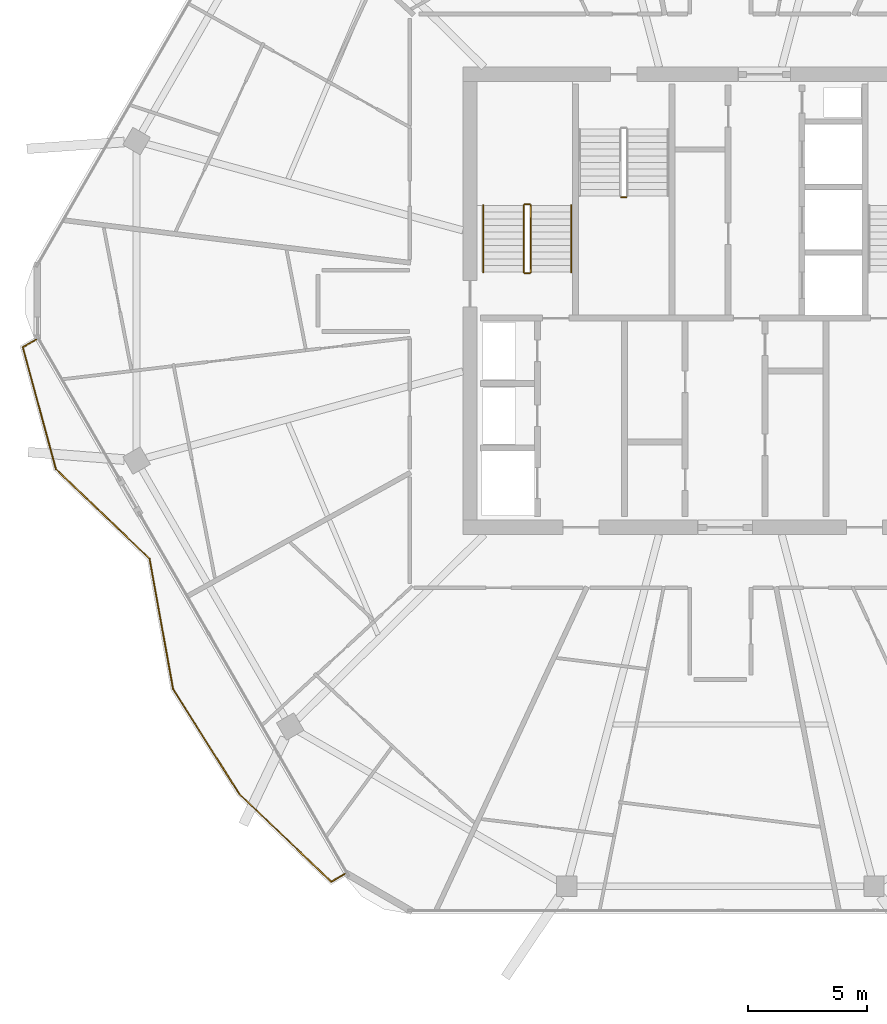
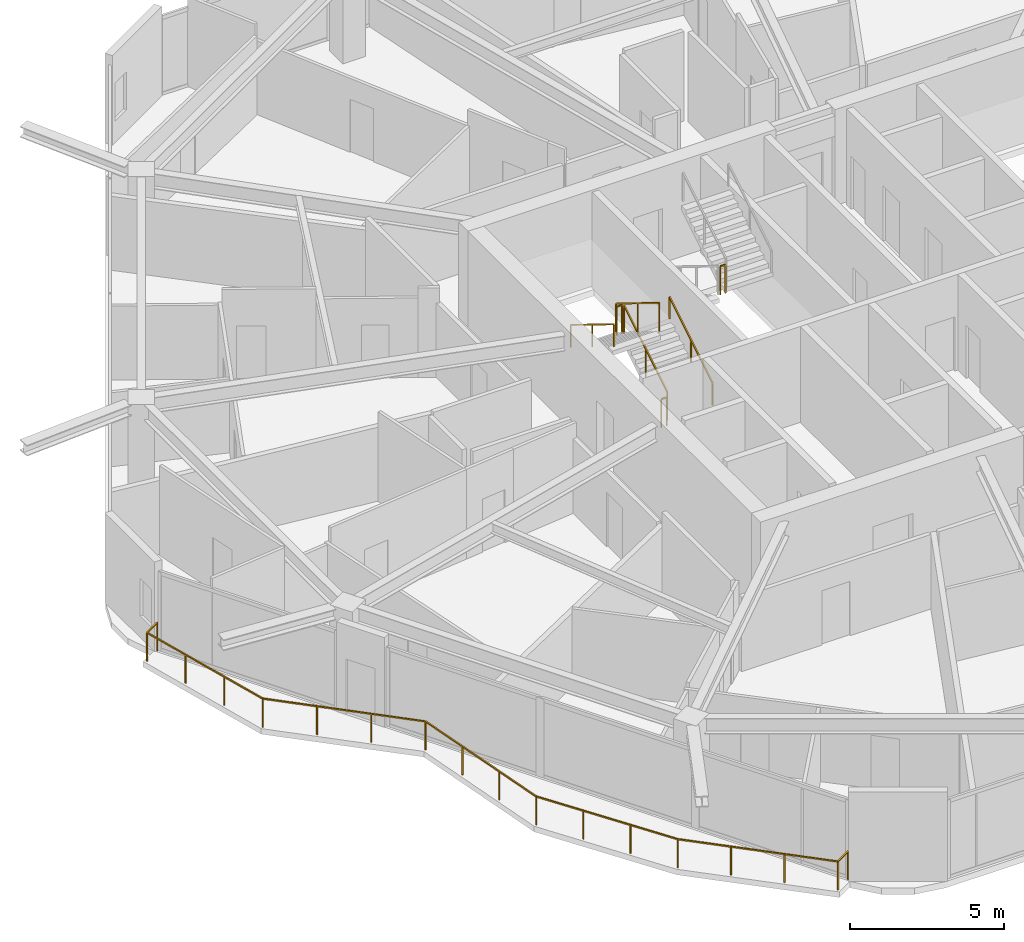
# One storey, part 24 of 26: 8 railings.
"""IFC4 building model written with IfcOpenShell, lengths in metres."""

from ifc_helpers import new_model, si_unit, direction, frame, origin, origin_2d, place, context, subcontext, project, spatial, rectangle, extrude, material, type_object, element, save


model = new_model("IFC4")

# Units and contexts
model_context = context("Model", 3, precision=1e-05, world=origin(), true_north=direction((0.0, 1.0)))
body_context = subcontext(model_context, "Body", "Model", "MODEL_VIEW")
ifc_project = project(units=[si_unit("LENGTHUNIT", "METRE"), si_unit("AREAUNIT", "SQUARE_METRE"), si_unit("VOLUMEUNIT", "CUBIC_METRE"), si_unit("PLANEANGLEUNIT", "RADIAN"), si_unit("MASSUNIT", "GRAM", prefix="KILO")], contexts=[model_context])

# Site, building, storey
site_placement = place(None, origin())
site = spatial("IfcSite", under=ifc_project, at=site_placement, CompositionType="ELEMENT")
building_placement = place(site_placement, origin())
building = spatial("IfcBuilding", under=site, at=building_placement, Name="Zuhravey Tower", CompositionType="ELEMENT")
storey_placement = place(building_placement, frame((0.0, 0.0, 273.0)))
storey = spatial("IfcBuildingStorey", under=building, at=storey_placement, Name="L69", CompositionType="ELEMENT", Elevation=273.0)

# Railings
ifc_material_1 = material(Name="Stainless steel 316 and laminated glass", Category="steel")
railing_type_1 = type_object("IfcRailingType", Name="Balcony & Terrace Guardrail 1150", PredefinedType="BALUSTRADE", material=ifc_material_1)
railing_1_placement = place(storey_placement, frame((20.25830078125, 7.968017578125, 0.0)))
element("IfcRailing", 1, at=railing_1_placement, inside=storey, type_object=railing_type_1, Name="L69 Face 4 Wave Balcony Guardrail GR1", PredefinedType="BALUSTRADE", context=body_context, shape_type="SweptSolid", body=[
    extrude(rectangle(XDim=0.048095703125, YDim=0.048095703125, at=origin_2d()), frame((-0.001708984375, -0.0009765625, 1.1259765625), z_axis=(-0.865928695901, -0.500167465571, 0.0), x_axis=(0.500167465571, -0.865928695901, 0.0)), (0.0, 0.0, 1.0), 0.660888671875),
    extrude(rectangle(XDim=0.048095703125, YDim=0.048095703125, at=origin_2d()), frame((-0.5771484375, -0.3310546875, 1.1259765625), z_axis=(-0.723303727928, 0.690530026259, 0.0), x_axis=(-0.690530026259, -0.723303727928, 0.0)), (0.0, 0.0, 1.0), 5.344482421875),
    extrude(rectangle(XDim=0.048095703125, YDim=0.048095703125, at=origin_2d()), frame((-4.4453125, 3.362548828125, 1.1259765625), z_axis=(-0.533458279448, 0.8458263794, 0.0), x_axis=(-0.8458263794, -0.533458279448, 0.0)), (0.0, 0.0, 1.0), 5.184814453125),
    extrude(rectangle(XDim=0.048095703125, YDim=0.048095703125, at=origin_2d()), frame((-7.212646484375, 7.751708984375, 1.1259765625), z_axis=(-0.177601563202, 0.984102476751, 0.0), x_axis=(-0.984102476751, -0.177601563202, 0.0)), (0.0, 0.0, 1.0), 5.55224609375),
    extrude(rectangle(XDim=0.048095703125, YDim=0.048095703125, at=origin_2d()), frame((-8.20068359375, 13.21923828125, 1.1259765625), z_axis=(-0.722359060555, 0.691518175924, 0.0), x_axis=(-0.691518175924, -0.722359060555, 0.0)), (0.0, 0.0, 1.0), 5.434326171875),
    extrude(rectangle(XDim=0.048095703125, YDim=0.048095703125, at=origin_2d()), frame((-12.128173828125, 16.98046875, 1.1259765625), z_axis=(-0.262332504219, 0.964977542345, 0.0), x_axis=(-0.964977542345, -0.262332504219, 0.0)), (0.0, 0.0, 1.0), 5.286865234375),
    extrude(rectangle(XDim=0.048095703125, YDim=0.048095703125, at=origin_2d()), frame((-13.513916015625, 22.0849609375, 1.1259765625), z_axis=(0.866173323713, 0.499743707602, 0.0), x_axis=(-0.499743707602, 0.866173323713, 0.0)), (0.0, 0.0, 1.0), 0.658935546875),
    extrude(rectangle(XDim=0.0419921875, YDim=0.0419921875, at=origin_2d()), origin(), (0.0, 0.0, 1.0), 1.099853515625),
    extrude(rectangle(XDim=0.0419921875, YDim=0.0419921875, at=origin_2d()), frame((-0.57568359375, -0.33251953125, 0.0)), (0.0, 0.0, 1.0), 1.099853515625),
    extrude(rectangle(XDim=0.0419921875, YDim=0.0419921875, at=origin_2d()), frame((-1.865234375, 0.898681640625, 0.0)), (0.0, 0.0, 1.0), 1.099853515625),
    extrude(rectangle(XDim=0.0419921875, YDim=0.0419921875, at=origin_2d()), frame((-3.15478515625, 2.129638671875, 0.0)), (0.0, 0.0, 1.0), 1.099853515625),
    extrude(rectangle(XDim=0.0419921875, YDim=0.0419921875, at=origin_2d()), frame((-4.4443359375, 3.36083984375, 0.0)), (0.0, 0.0, 1.0), 1.099853515625),
    extrude(rectangle(XDim=0.0419921875, YDim=0.0419921875, at=origin_2d()), frame((-5.366943359375, 4.82373046875, 0.0)), (0.0, 0.0, 1.0), 1.099853515625),
    extrude(rectangle(XDim=0.0419921875, YDim=0.0419921875, at=origin_2d()), frame((-6.289794921875, 6.286865234375, 0.0)), (0.0, 0.0, 1.0), 1.099853515625),
    extrude(rectangle(XDim=0.0419921875, YDim=0.0419921875, at=origin_2d()), frame((-7.21240234375, 7.749755859375, 0.0)), (0.0, 0.0, 1.0), 1.099853515625),
    extrude(rectangle(XDim=0.0419921875, YDim=0.0419921875, at=origin_2d()), frame((-7.541259765625, 9.572509765625, 0.0)), (0.0, 0.0, 1.0), 1.099853515625),
    extrude(rectangle(XDim=0.0419921875, YDim=0.0419921875, at=origin_2d()), frame((-7.870361328125, 11.39501953125, 0.0)), (0.0, 0.0, 1.0), 1.099853515625),
    extrude(rectangle(XDim=0.0419921875, YDim=0.0419921875, at=origin_2d()), frame((-8.19921875, 13.2177734375, 0.0)), (0.0, 0.0, 1.0), 1.099853515625),
    extrude(rectangle(XDim=0.0419921875, YDim=0.0419921875, at=origin_2d()), frame((-9.5087890625, 14.471435546875, 0.0)), (0.0, 0.0, 1.0), 1.099853515625),
    extrude(rectangle(XDim=0.0419921875, YDim=0.0419921875, at=origin_2d()), frame((-10.818115234375, 15.724853515625, 0.0)), (0.0, 0.0, 1.0), 1.099853515625),
    extrude(rectangle(XDim=0.0419921875, YDim=0.0419921875, at=origin_2d()), frame((-12.127685546875, 16.978515625, 0.0)), (0.0, 0.0, 1.0), 1.099853515625),
    extrude(rectangle(XDim=0.0419921875, YDim=0.0419921875, at=origin_2d()), frame((-12.59033203125, 18.680419921875, 0.0)), (0.0, 0.0, 1.0), 1.099853515625),
    extrude(rectangle(XDim=0.0419921875, YDim=0.0419921875, at=origin_2d()), frame((-13.052978515625, 20.382080078125, 0.0)), (0.0, 0.0, 1.0), 1.099853515625),
    extrude(rectangle(XDim=0.0419921875, YDim=0.0419921875, at=origin_2d()), frame((-13.515625, 22.083984375, 0.0)), (0.0, 0.0, 1.0), 1.099853515625),
    extrude(rectangle(XDim=0.0419921875, YDim=0.0419921875, at=origin_2d()), frame((-12.94140625, 22.415283203125, 0.0)), (0.0, 0.0, 1.0), 1.099853515625),
])
ifc_material_2 = material(Name="Brushed stainless steel", Category="steel")
railing_type_2 = type_object("IfcRailingType", Name="Stair Wall Handrail 900", PredefinedType="HANDRAIL", material=ifc_material_2)
railing_2_placement = place(storey_placement, frame((29.75, 33.199951171875, 0.172607421875)))
element("IfcRailing", 2, at=railing_2_placement, inside=storey, type_object=railing_type_2, Name="L69 ST1 stair handrail 1", PredefinedType="HANDRAIL", context=body_context, shape_type="SweptSolid", body=[
    extrude(rectangle(XDim=0.048095703125, YDim=0.048095703125, at=origin_2d()), frame((0.0, 0.001708984375, 0.876953125), z_axis=(0.0, 0.851089632645, 0.525020415988), x_axis=(-1.0, 0.0, 0.0)), (0.0, 0.0, 1.0), 3.285888671875),
    extrude(rectangle(XDim=0.0419921875, YDim=0.0419921875, at=origin_2d()), origin(), (0.0, 0.0, 1.0), 0.849853515625),
    extrude(rectangle(XDim=0.0419921875, YDim=0.0419921875, at=origin_2d()), frame((0.0, 1.39990234375, 0.86376953125)), (0.0, 0.0, 1.0), 0.849853515625),
    extrude(rectangle(XDim=0.0419921875, YDim=0.0419921875, at=origin_2d()), frame((0.0, 2.800048828125, 1.727294921875)), (0.0, 0.0, 1.0), 0.849853515625),
])
railing_3_placement = place(storey_placement, frame((26.050048828125, 36.0, 2.07275390625)))
element("IfcRailing", 3, at=railing_3_placement, inside=storey, type_object=railing_type_2, Name="L69 ST1 stair handrail 2", PredefinedType="HANDRAIL", context=body_context, shape_type="SweptSolid", body=[
    extrude(rectangle(XDim=0.048095703125, YDim=0.048095703125, at=origin_2d()), frame((0.0, -0.001708984375, 0.876953125), z_axis=(0.0, -0.851089632645, 0.525020415988), x_axis=(1.0, 0.0, 0.0)), (0.0, 0.0, 1.0), 3.285888671875),
    extrude(rectangle(XDim=0.0419921875, YDim=0.0419921875, at=origin_2d()), origin(), (0.0, 0.0, 1.0), 0.849853515625),
    extrude(rectangle(XDim=0.0419921875, YDim=0.0419921875, at=origin_2d()), frame((0.0, -1.39990234375, 0.86376953125)), (0.0, 0.0, 1.0), 0.849853515625),
    extrude(rectangle(XDim=0.0419921875, YDim=0.0419921875, at=origin_2d()), frame((0.0, -2.800048828125, 1.727294921875)), (0.0, 0.0, 1.0), 0.849853515625),
])
ifc_material_3 = material(Name="Painted tubular steel", Category="steel")
railing_type_3 = type_object("IfcRailingType", Name="Stair Well Guardrail 1150", PredefinedType="GUARDRAIL", material=ifc_material_3)
railing_4_placement = place(storey_placement, frame((28.050048828125, 33.199951171875, 0.172607421875)))
element("IfcRailing", 4, at=railing_4_placement, inside=storey, type_object=railing_type_3, Name="L69 ST1 stair guard 1", PredefinedType="GUARDRAIL", context=body_context, shape_type="SweptSolid", body=[
    extrude(rectangle(XDim=0.048095703125, YDim=0.048095703125, at=origin_2d()), frame((0.0, 0.001708984375, 1.126953125), z_axis=(0.0, 0.851089632645, 0.525020415988), x_axis=(-1.0, 0.0, 0.0)), (0.0, 0.0, 1.0), 3.285888671875),
    extrude(rectangle(XDim=0.0419921875, YDim=0.0419921875, at=origin_2d()), origin(), (0.0, 0.0, 1.0), 1.099853515625),
    extrude(rectangle(XDim=0.0419921875, YDim=0.0419921875, at=origin_2d()), frame((0.0, 1.39990234375, 0.86376953125)), (0.0, 0.0, 1.0), 1.099853515625),
    extrude(rectangle(XDim=0.0419921875, YDim=0.0419921875, at=origin_2d()), frame((0.0, 2.800048828125, 1.727294921875)), (0.0, 0.0, 1.0), 1.099853515625),
])
railing_5_placement = place(storey_placement, frame((28.0, 36.050048828125, 1.89990234375)))
element("IfcRailing", 5, at=railing_5_placement, inside=storey, type_object=railing_type_3, Name="L69 ST1 stair guard 2", PredefinedType="GUARDRAIL", context=body_context, shape_type="SweptSolid", body=[
    extrude(rectangle(XDim=0.048095703125, YDim=0.048095703125, at=origin_2d()), frame((-0.001953125, 0.0, 1.1259765625), z_axis=(-1.0, 0.0, 0.0), x_axis=(0.0, -1.0, 0.0)), (0.0, 0.0, 1.0), 0.196044921875),
    extrude(rectangle(XDim=0.0419921875, YDim=0.0419921875, at=origin_2d()), origin(), (0.0, 0.0, 1.0), 1.099853515625),
    extrude(rectangle(XDim=0.0419921875, YDim=0.0419921875, at=origin_2d()), frame((-0.199951171875, 0.0, 0.0)), (0.0, 0.0, 1.0), 1.099853515625),
])
railing_6_placement = place(storey_placement, frame((27.75, 36.0, 2.07275390625)))
element("IfcRailing", 6, at=railing_6_placement, inside=storey, type_object=railing_type_3, Name="L69 ST1 stair guard 3", PredefinedType="GUARDRAIL", context=body_context, shape_type="SweptSolid", body=[
    extrude(rectangle(XDim=0.048095703125, YDim=0.048095703125, at=origin_2d()), frame((0.0, -0.001708984375, 1.126953125), z_axis=(0.0, -0.851089632645, 0.525020415988), x_axis=(1.0, 0.0, 0.0)), (0.0, 0.0, 1.0), 3.285888671875),
    extrude(rectangle(XDim=0.0419921875, YDim=0.0419921875, at=origin_2d()), origin(), (0.0, 0.0, 1.0), 1.099853515625),
    extrude(rectangle(XDim=0.0419921875, YDim=0.0419921875, at=origin_2d()), frame((0.0, -1.39990234375, 0.86376953125)), (0.0, 0.0, 1.0), 1.099853515625),
    extrude(rectangle(XDim=0.0419921875, YDim=0.0419921875, at=origin_2d()), frame((0.0, -2.800048828125, 1.727294921875)), (0.0, 0.0, 1.0), 1.099853515625),
])
railing_7_placement = place(storey_placement, frame((28.0, 33.14990234375, 0.0)))
element("IfcRailing", 7, at=railing_7_placement, inside=storey, type_object=railing_type_3, Name="L69 ST1 stair guard 4", PredefinedType="GUARDRAIL", context=body_context, shape_type="SweptSolid", body=[
    extrude(rectangle(XDim=0.048095703125, YDim=0.048095703125, at=origin_2d()), frame((-0.001953125, 0.0, 1.1259765625), z_axis=(-1.0, 0.0, 0.0), x_axis=(0.0, -1.0, 0.0)), (0.0, 0.0, 1.0), 0.196044921875),
    extrude(rectangle(XDim=0.0419921875, YDim=0.0419921875, at=origin_2d()), origin(), (0.0, 0.0, 1.0), 1.099853515625),
    extrude(rectangle(XDim=0.0419921875, YDim=0.0419921875, at=origin_2d()), frame((-0.199951171875, 0.0, 0.0)), (0.0, 0.0, 1.0), 1.099853515625),
])
railing_8_placement = place(storey_placement, frame((31.85009765625, 36.35009765625, 1.89990234375)))
element("IfcRailing", 8, at=railing_8_placement, inside=storey, type_object=railing_type_3, Name="L69 ST3 stair guard 2", PredefinedType="GUARDRAIL", context=body_context, shape_type="SweptSolid", body=[
    extrude(rectangle(XDim=0.048095703125, YDim=0.048095703125, at=origin_2d()), frame((0.001953125, 0.0, 1.1259765625), z_axis=(1.0, 0.0, 0.0), x_axis=(0.0, 1.0, 0.0)), (0.0, 0.0, 1.0), 0.196044921875),
    extrude(rectangle(XDim=0.0419921875, YDim=0.0419921875, at=origin_2d()), origin(), (0.0, 0.0, 1.0), 1.099853515625),
    extrude(rectangle(XDim=0.0419921875, YDim=0.0419921875, at=origin_2d()), frame((0.199951171875, 0.0, 0.0)), (0.0, 0.0, 1.0), 1.099853515625),
])

save(model, "model.ifc")
